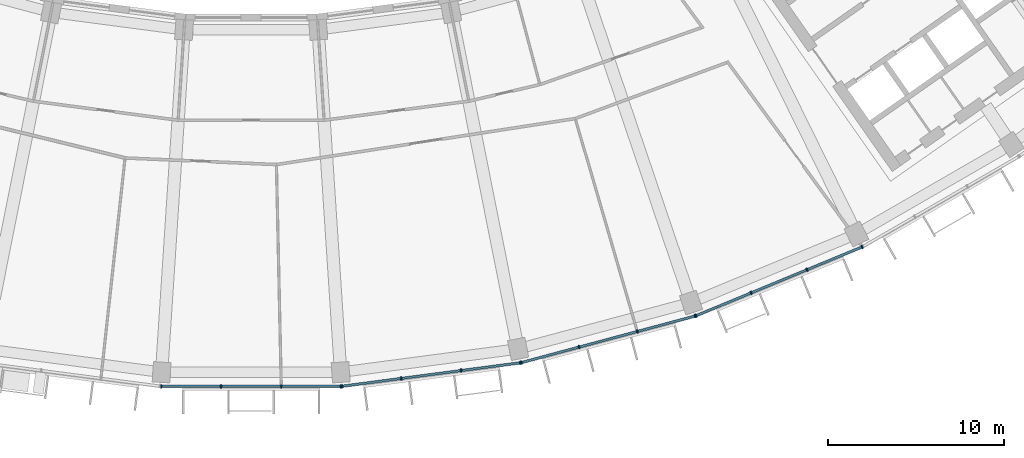
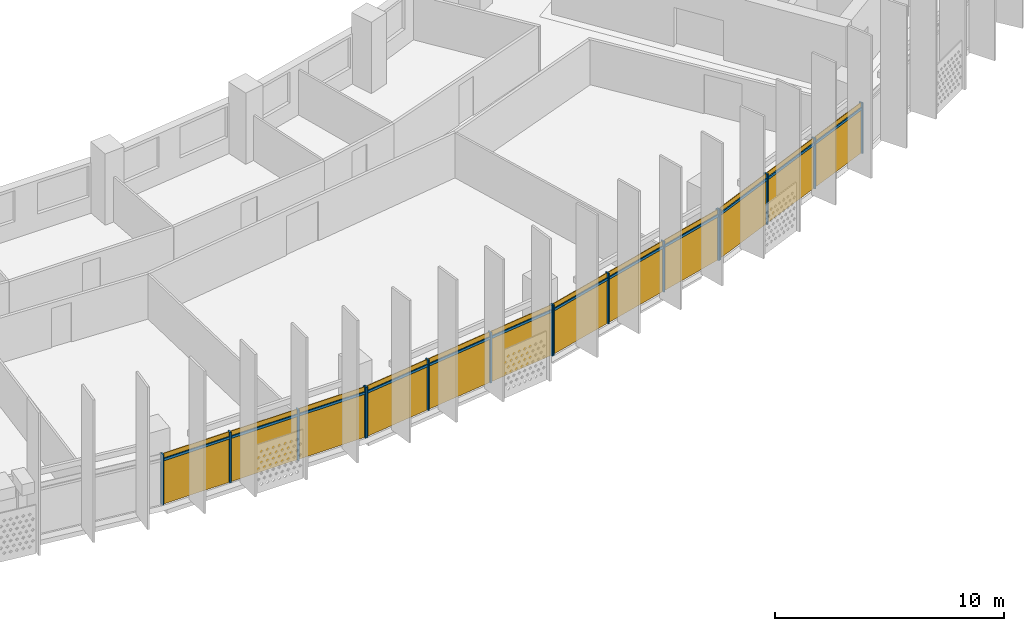
# One storey, part 20 of 28: 28 members, 4 curtain walls.
"""IFC4 building model written with IfcOpenShell, lengths in metres."""

from ifc_helpers import new_model, si_unit, direction, frame, origin, origin_2d, place, context, subcontext, project, spatial, rectangle, extrude, material, material_profile, profile_set, type_object, element, aggregate, save


model = new_model("IFC4")

# Units and contexts
model_context = context("Model", 3, precision=1e-05, world=origin(), true_north=direction((0.0, 1.0)))
body_context = subcontext(model_context, "Body", "Model", "MODEL_VIEW")
ifc_project = project(units=[si_unit("LENGTHUNIT", "METRE"), si_unit("AREAUNIT", "SQUARE_METRE"), si_unit("VOLUMEUNIT", "CUBIC_METRE"), si_unit("PLANEANGLEUNIT", "RADIAN"), si_unit("MASSUNIT", "GRAM", prefix="KILO")], contexts=[model_context])

# Member
ifc_material = material(Name="Aluminium 6063-T6 anodised", Category="aluminium")
ifc_material_profile_1 = material_profile(ifc_material, rectangle(XDim=0.199951171875, YDim=0.070068359375, at=origin_2d()))
ifc_profile_set_1 = profile_set([ifc_material_profile_1], Name="Aluminium 6063-T6 anodised")
member_type_1 = type_object("IfcMemberType", Name="Mullion 70 x 200 aluminium", PredefinedType="MULLION", material=ifc_profile_set_1)
site_placement = place(None, origin())
building_placement = place(site_placement, origin())
storey_placement = place(building_placement, frame((0.0, 0.0, 226.5)))
member_1_placement = place(storey_placement, frame((-5.10888671875, -78.381591796875, 0.0), z_axis=(0.0, 0.0, 1.0), x_axis=(0.0, 1.0, 0.0)))
member_1 = element("IfcMember", 1, at=member_1_placement, type_object=member_type_1, Name="e-cw1-L54-out08/M00", PredefinedType="MULLION", context=body_context, shape_type="SweptSolid", body=[
    extrude(rectangle(XDim=0.199951171875, YDim=0.070068359375, at=origin_2d()), origin(), (0.0, 0.0, 1.0), 2.699951171875),
])

member_2_placement = place(storey_placement, frame((-1.714599609375, -78.381591796875, 0.0), z_axis=(0.0, 0.0, 1.0), x_axis=(0.0, 1.0, 0.0)))
member_2 = element("IfcMember", 2, at=member_2_placement, type_object=member_type_1, Name="e-cw1-L54-out08/M01", PredefinedType="MULLION", context=body_context, shape_type="SweptSolid", body=[
    extrude(rectangle(XDim=0.199951171875, YDim=0.070068359375, at=origin_2d()), origin(), (0.0, 0.0, 1.0), 2.699951171875),
])

member_3_placement = place(storey_placement, frame((1.714599609375, -78.381591796875, 0.0), z_axis=(0.0, 0.0, 1.0), x_axis=(0.0, 1.0, 0.0)))
member_3 = element("IfcMember", 3, at=member_3_placement, type_object=member_type_1, Name="e-cw1-L54-out08/M02", PredefinedType="MULLION", context=body_context, shape_type="SweptSolid", body=[
    extrude(rectangle(XDim=0.199951171875, YDim=0.070068359375, at=origin_2d()), origin(), (0.0, 0.0, 1.0), 2.699951171875),
])

member_4_placement = place(storey_placement, frame((5.10888671875, -78.381591796875, 0.0), z_axis=(0.0, 0.0, 1.0), x_axis=(0.0, 1.0, 0.0)))
member_4 = element("IfcMember", 4, at=member_4_placement, type_object=member_type_1, Name="e-cw1-L54-out08/M03", PredefinedType="MULLION", context=body_context, shape_type="SweptSolid", body=[
    extrude(rectangle(XDim=0.199951171875, YDim=0.070068359375, at=origin_2d()), origin(), (0.0, 0.0, 1.0), 2.699951171875),
])

member_5_placement = place(storey_placement, frame((5.16552734375, -78.3779296875, 0.0), z_axis=(0.0, 0.0, 1.0), x_axis=(-0.13052619222, 0.991444861374, 0.0)))
member_5 = element("IfcMember", 5, at=member_5_placement, type_object=member_type_1, Name="e-cw1-L54-out09/M00", PredefinedType="MULLION", context=body_context, shape_type="SweptSolid", body=[
    extrude(rectangle(XDim=0.199951171875, YDim=0.070068359375, at=origin_2d()), origin(), (0.0, 0.0, 1.0), 2.699951171875),
])

member_6_placement = place(storey_placement, frame((8.53076171875, -77.934814453125, 0.0), z_axis=(0.0, 0.0, 1.0), x_axis=(-0.13052619222, 0.991444861374, 0.0)))
member_6 = element("IfcMember", 6, at=member_6_placement, type_object=member_type_1, Name="e-cw1-L54-out09/M01", PredefinedType="MULLION", context=body_context, shape_type="SweptSolid", body=[
    extrude(rectangle(XDim=0.199951171875, YDim=0.070068359375, at=origin_2d()), origin(), (0.0, 0.0, 1.0), 2.699951171875),
])

member_7_placement = place(storey_placement, frame((11.930908203125, -77.4873046875, 0.0), z_axis=(0.0, 0.0, 1.0), x_axis=(-0.13052619222, 0.991444861374, 0.0)))
member_7 = element("IfcMember", 7, at=member_7_placement, type_object=member_type_1, Name="e-cw1-L54-out09/M02", PredefinedType="MULLION", context=body_context, shape_type="SweptSolid", body=[
    extrude(rectangle(XDim=0.199951171875, YDim=0.070068359375, at=origin_2d()), origin(), (0.0, 0.0, 1.0), 2.699951171875),
])

member_8_placement = place(storey_placement, frame((15.296142578125, -77.044189453125, 0.0), z_axis=(0.0, 0.0, 1.0), x_axis=(-0.13052619222, 0.991444861374, 0.0)))
member_8 = element("IfcMember", 8, at=member_8_placement, type_object=member_type_1, Name="e-cw1-L54-out09/M03", PredefinedType="MULLION", context=body_context, shape_type="SweptSolid", body=[
    extrude(rectangle(XDim=0.199951171875, YDim=0.070068359375, at=origin_2d()), origin(), (0.0, 0.0, 1.0), 2.699951171875),
])

member_9_placement = place(storey_placement, frame((15.351806640625, -77.033203125, 0.0), z_axis=(0.0, 0.0, 1.0), x_axis=(-0.258819045103, 0.965925826289, 0.0)))
member_9 = element("IfcMember", 9, at=member_9_placement, type_object=member_type_1, Name="e-cw1-L54-out10/M00", PredefinedType="MULLION", context=body_context, shape_type="SweptSolid", body=[
    extrude(rectangle(XDim=0.199951171875, YDim=0.070068359375, at=origin_2d()), origin(), (0.0, 0.0, 1.0), 2.699951171875),
])

member_10_placement = place(storey_placement, frame((18.63037109375, -76.154541015625, 0.0), z_axis=(0.0, 0.0, 1.0), x_axis=(-0.258819045103, 0.965925826289, 0.0)))
member_10 = element("IfcMember", 10, at=member_10_placement, type_object=member_type_1, Name="e-cw1-L54-out10/M01", PredefinedType="MULLION", context=body_context, shape_type="SweptSolid", body=[
    extrude(rectangle(XDim=0.199951171875, YDim=0.070068359375, at=origin_2d()), origin(), (0.0, 0.0, 1.0), 2.699951171875),
])

member_11_placement = place(storey_placement, frame((21.94287109375, -75.26708984375, 0.0), z_axis=(0.0, 0.0, 1.0), x_axis=(-0.258819045103, 0.965925826289, 0.0)))
member_11 = element("IfcMember", 11, at=member_11_placement, type_object=member_type_1, Name="e-cw1-L54-out10/M02", PredefinedType="MULLION", context=body_context, shape_type="SweptSolid", body=[
    extrude(rectangle(XDim=0.199951171875, YDim=0.070068359375, at=origin_2d()), origin(), (0.0, 0.0, 1.0), 2.699951171875),
])

member_12_placement = place(storey_placement, frame((25.221435546875, -74.388427734375, 0.0), z_axis=(0.0, 0.0, 1.0), x_axis=(-0.258819045103, 0.965925826289, 0.0)))
member_12 = element("IfcMember", 12, at=member_12_placement, type_object=member_type_1, Name="e-cw1-L54-out10/M03", PredefinedType="MULLION", context=body_context, shape_type="SweptSolid", body=[
    extrude(rectangle(XDim=0.199951171875, YDim=0.070068359375, at=origin_2d()), origin(), (0.0, 0.0, 1.0), 2.699951171875),
])

member_13_placement = place(storey_placement, frame((25.275390625, -74.370361328125, 0.0), z_axis=(0.0, 0.0, 1.0), x_axis=(-0.382683432365, 0.923879532511, 0.0)))
member_13 = element("IfcMember", 13, at=member_13_placement, type_object=member_type_1, Name="e-cw1-L54-out11/M00", PredefinedType="MULLION", context=body_context, shape_type="SweptSolid", body=[
    extrude(rectangle(XDim=0.199951171875, YDim=0.070068359375, at=origin_2d()), origin(), (0.0, 0.0, 1.0), 2.699951171875),
])

member_14_placement = place(storey_placement, frame((28.4111328125, -73.0712890625, 0.0), z_axis=(0.0, 0.0, 1.0), x_axis=(-0.382683432365, 0.923879532511, 0.0)))
member_14 = element("IfcMember", 14, at=member_14_placement, type_object=member_type_1, Name="e-cw1-L54-out11/M01", PredefinedType="MULLION", context=body_context, shape_type="SweptSolid", body=[
    extrude(rectangle(XDim=0.199951171875, YDim=0.070068359375, at=origin_2d()), origin(), (0.0, 0.0, 1.0), 2.699951171875),
])

member_15_placement = place(storey_placement, frame((31.57958984375, -71.759033203125, 0.0), z_axis=(0.0, 0.0, 1.0), x_axis=(-0.382683432365, 0.923879532511, 0.0)))
member_15 = element("IfcMember", 15, at=member_15_placement, type_object=member_type_1, Name="e-cw1-L54-out11/M02", PredefinedType="MULLION", context=body_context, shape_type="SweptSolid", body=[
    extrude(rectangle(XDim=0.199951171875, YDim=0.070068359375, at=origin_2d()), origin(), (0.0, 0.0, 1.0), 2.699951171875),
])

member_16_placement = place(storey_placement, frame((34.71533203125, -70.4599609375, 0.0), z_axis=(0.0, 0.0, 1.0), x_axis=(-0.382683432365, 0.923879532511, 0.0)))
member_16 = element("IfcMember", 16, at=member_16_placement, type_object=member_type_1, Name="e-cw1-L54-out11/M03", PredefinedType="MULLION", context=body_context, shape_type="SweptSolid", body=[
    extrude(rectangle(XDim=0.199951171875, YDim=0.070068359375, at=origin_2d()), origin(), (0.0, 0.0, 1.0), 2.699951171875),
])

ifc_material_profile_2 = material_profile(ifc_material, rectangle(XDim=0.139892578125, YDim=0.1201171875, at=origin_2d()))
ifc_profile_set_2 = profile_set([ifc_material_profile_2], Name="Aluminium 6063-T6 anodised")
member_type_2 = type_object("IfcMemberType", Name="Transom 120 x 140 aluminium", PredefinedType="USERDEFINED", material=ifc_profile_set_2)
member_17_placement = place(storey_placement, frame((-5.073974609375, -78.381591796875, 2.39990234375), z_axis=(1.0, 0.0, 0.0), x_axis=(0.0, 1.0, 0.0)))
member_17 = element("IfcMember", 17, at=member_17_placement, type_object=member_type_2, Name="e-cw1-L54-out08/T00", ObjectType="TRANSOM", PredefinedType="USERDEFINED", context=body_context, shape_type="SweptSolid", body=[
    extrude(rectangle(XDim=0.139892578125, YDim=0.1201171875, at=origin_2d()), origin(), (0.0, 0.0, 1.0), 3.32421875),
])

member_18_placement = place(storey_placement, frame((-1.6796875, -78.381591796875, 2.39990234375), z_axis=(1.0, 0.0, 0.0), x_axis=(0.0, 1.0, 0.0)))
member_18 = element("IfcMember", 18, at=member_18_placement, type_object=member_type_2, Name="e-cw1-L54-out08/T01", ObjectType="TRANSOM", PredefinedType="USERDEFINED", context=body_context, shape_type="SweptSolid", body=[
    extrude(rectangle(XDim=0.139892578125, YDim=0.1201171875, at=origin_2d()), origin(), (0.0, 0.0, 1.0), 3.359375),
])

member_19_placement = place(storey_placement, frame((1.749755859375, -78.381591796875, 2.39990234375), z_axis=(1.0, 0.0, 0.0), x_axis=(0.0, 1.0, 0.0)))
member_19 = element("IfcMember", 19, at=member_19_placement, type_object=member_type_2, Name="e-cw1-L54-out08/T02", ObjectType="TRANSOM", PredefinedType="USERDEFINED", context=body_context, shape_type="SweptSolid", body=[
    extrude(rectangle(XDim=0.139892578125, YDim=0.1201171875, at=origin_2d()), origin(), (0.0, 0.0, 1.0), 3.32421875),
])

member_20_placement = place(storey_placement, frame((5.2001953125, -78.373291015625, 2.39990234375), z_axis=(0.991447795146, 0.130503906072, 0.0), x_axis=(-0.130503906072, 0.991447795146, 0.0)))
member_20 = element("IfcMember", 20, at=member_20_placement, type_object=member_type_2, Name="e-cw1-L54-out09/T00", ObjectType="TRANSOM", PredefinedType="USERDEFINED", context=body_context, shape_type="SweptSolid", body=[
    extrude(rectangle(XDim=0.139892578125, YDim=0.1201171875, at=origin_2d()), origin(), (0.0, 0.0, 1.0), 3.32421875),
])

member_21_placement = place(storey_placement, frame((8.565673828125, -77.93017578125, 2.39990234375), z_axis=(0.991444893088, 0.130525951326, 0.0), x_axis=(-0.130525951326, 0.991444893088, 0.0)))
member_21 = element("IfcMember", 21, at=member_21_placement, type_object=member_type_2, Name="e-cw1-L54-out09/T01", ObjectType="TRANSOM", PredefinedType="USERDEFINED", context=body_context, shape_type="SweptSolid", body=[
    extrude(rectangle(XDim=0.139892578125, YDim=0.1201171875, at=origin_2d()), origin(), (0.0, 0.0, 1.0), 3.359375),
])

member_22_placement = place(storey_placement, frame((11.965576171875, -77.482666015625, 2.39990234375), z_axis=(0.991447795146, 0.130503906072, 0.0), x_axis=(-0.130503906072, 0.991447795146, 0.0)))
member_22 = element("IfcMember", 22, at=member_22_placement, type_object=member_type_2, Name="e-cw1-L54-out09/T02", ObjectType="TRANSOM", PredefinedType="USERDEFINED", context=body_context, shape_type="SweptSolid", body=[
    extrude(rectangle(XDim=0.139892578125, YDim=0.1201171875, at=origin_2d()), origin(), (0.0, 0.0, 1.0), 3.32421875),
])

member_23_placement = place(storey_placement, frame((15.385498046875, -77.024169921875, 2.39990234375), z_axis=(0.965913629723, 0.258864559019, 0.0), x_axis=(-0.258864559019, 0.965913629723, 0.0)))
member_23 = element("IfcMember", 23, at=member_23_placement, type_object=member_type_2, Name="e-cw1-L54-out10/T00", ObjectType="TRANSOM", PredefinedType="USERDEFINED", context=body_context, shape_type="SweptSolid", body=[
    extrude(rectangle(XDim=0.139892578125, YDim=0.1201171875, at=origin_2d()), origin(), (0.0, 0.0, 1.0), 3.324462890625),
])

member_24_placement = place(storey_placement, frame((18.664306640625, -76.1455078125, 2.39990234375), z_axis=(0.965931507774, 0.258797840582, 0.0), x_axis=(-0.258797840582, 0.965931507774, 0.0)))
member_24 = element("IfcMember", 24, at=member_24_placement, type_object=member_type_2, Name="e-cw1-L54-out10/T01", ObjectType="TRANSOM", PredefinedType="USERDEFINED", context=body_context, shape_type="SweptSolid", body=[
    extrude(rectangle(XDim=0.139892578125, YDim=0.1201171875, at=origin_2d()), origin(), (0.0, 0.0, 1.0), 3.359375),
])

member_25_placement = place(storey_placement, frame((21.976806640625, -75.258056640625, 2.39990234375), z_axis=(0.965908708139, 0.25888292246, 0.0), x_axis=(-0.25888292246, 0.965908708139, 0.0)))
member_25 = element("IfcMember", 25, at=member_25_placement, type_object=member_type_2, Name="e-cw1-L54-out10/T02", ObjectType="TRANSOM", PredefinedType="USERDEFINED", context=body_context, shape_type="SweptSolid", body=[
    extrude(rectangle(XDim=0.139892578125, YDim=0.1201171875, at=origin_2d()), origin(), (0.0, 0.0, 1.0), 3.32421875),
])

member_26_placement = place(storey_placement, frame((25.3076171875, -74.35693359375, 2.39990234375), z_axis=(0.923874511193, 0.382695554676, 0.0), x_axis=(-0.382695554676, 0.923874511193, 0.0)))
member_26 = element("IfcMember", 26, at=member_26_placement, type_object=member_type_2, Name="e-cw1-L54-out11/T00", ObjectType="TRANSOM", PredefinedType="USERDEFINED", context=body_context, shape_type="SweptSolid", body=[
    extrude(rectangle(XDim=0.139892578125, YDim=0.1201171875, at=origin_2d()), origin(), (0.0, 0.0, 1.0), 3.324462890625),
])

member_27_placement = place(storey_placement, frame((28.443603515625, -73.057861328125, 2.39990234375), z_axis=(0.923891938088, 0.38265348128, 0.0), x_axis=(-0.38265348128, 0.923891938088, 0.0)))
member_27 = element("IfcMember", 27, at=member_27_placement, type_object=member_type_2, Name="e-cw1-L54-out11/T01", ObjectType="TRANSOM", PredefinedType="USERDEFINED", context=body_context, shape_type="SweptSolid", body=[
    extrude(rectangle(XDim=0.139892578125, YDim=0.1201171875, at=origin_2d()), origin(), (0.0, 0.0, 1.0), 3.359130859375),
])

member_28_placement = place(storey_placement, frame((31.61181640625, -71.74560546875, 2.39990234375), z_axis=(0.923874511193, 0.382695554676, 0.0), x_axis=(-0.382695554676, 0.923874511193, 0.0)))
member_28 = element("IfcMember", 28, at=member_28_placement, type_object=member_type_2, Name="e-cw1-L54-out11/T02", ObjectType="TRANSOM", PredefinedType="USERDEFINED", context=body_context, shape_type="SweptSolid", body=[
    extrude(rectangle(XDim=0.139892578125, YDim=0.1201171875, at=origin_2d()), origin(), (0.0, 0.0, 1.0), 3.324462890625),
])

# Site, building, storey
site = spatial("IfcSite", under=ifc_project, at=site_placement, CompositionType="ELEMENT")
building = spatial("IfcBuilding", under=site, at=building_placement, Name="Qamariyya Broadcast Tower", CompositionType="ELEMENT")
storey = spatial("IfcBuildingStorey", under=building, at=storey_placement, Name="L54", CompositionType="ELEMENT", Elevation=226.5)

# Curtain wall
curtain_wall_type = type_object("IfcCurtainWallType", Name="Unitised curtain wall, anodised aluminium", PredefinedType="NOTDEFINED", material=ifc_material)
curtain_wall_1_placement = place(storey_placement, origin())
curtain_wall_1 = element("IfcCurtainWall", 29, at=curtain_wall_1_placement, inside=storey, type_object=curtain_wall_type, Name="e-cw1-L54-out08", PredefinedType="NOTDEFINED", context=body_context, shape_type="SweptSolid", body=[
    extrude(rectangle(XDim=3.324462890625, YDim=0.031982421875, at=origin_2d()), frame((-3.411865234375, -78.381591796875, 0.0), x_axis=(1.0, 0.0, 0.0)), (0.0, 0.0, 1.0), 2.340087890625),
    extrude(rectangle(XDim=3.324462890625, YDim=0.031982421875, at=origin_2d()), frame((-3.411865234375, -78.381591796875, 2.4599609375), x_axis=(1.0, 0.0, 0.0)), (0.0, 0.0, 1.0), 0.239990234375),
    extrude(rectangle(XDim=3.359375, YDim=0.031982421875, at=origin_2d()), frame((0.0, -78.381591796875, 0.0), x_axis=(1.0, 0.0, 0.0)), (0.0, 0.0, 1.0), 2.340087890625),
    extrude(rectangle(XDim=3.359375, YDim=0.031982421875, at=origin_2d()), frame((0.0, -78.381591796875, 2.4599609375), x_axis=(1.0, 0.0, 0.0)), (0.0, 0.0, 1.0), 0.239990234375),
    extrude(rectangle(XDim=3.324462890625, YDim=0.031982421875, at=origin_2d()), frame((3.411865234375, -78.381591796875, 0.0), x_axis=(1.0, 0.0, 0.0)), (0.0, 0.0, 1.0), 2.340087890625),
    extrude(rectangle(XDim=3.324462890625, YDim=0.031982421875, at=origin_2d()), frame((3.411865234375, -78.381591796875, 2.4599609375), x_axis=(1.0, 0.0, 0.0)), (0.0, 0.0, 1.0), 0.239990234375),
])

aggregate(curtain_wall_1, [member_1, member_2, member_3, member_4, member_17, member_18, member_19])

curtain_wall_2_placement = place(storey_placement, origin())
curtain_wall_2 = element("IfcCurtainWall", 30, at=curtain_wall_2_placement, inside=storey, type_object=curtain_wall_type, Name="e-cw1-L54-out09", PredefinedType="NOTDEFINED", context=body_context, shape_type="SweptSolid", body=[
    extrude(rectangle(XDim=3.32421875, YDim=0.031982421875, at=origin_2d()), frame((6.84814453125, -78.156494140625, 0.0), x_axis=(0.991442741341, 0.130542294457, 0.0)), (0.0, 0.0, 1.0), 2.340087890625),
    extrude(rectangle(XDim=3.32421875, YDim=0.031982421875, at=origin_2d()), frame((6.84814453125, -78.156494140625, 2.4599609375), x_axis=(0.991442741341, 0.130542294457, 0.0)), (0.0, 0.0, 1.0), 0.239990234375),
    extrude(rectangle(XDim=3.359375, YDim=0.031982421875, at=origin_2d()), frame((10.23095703125, -77.7109375, 0.0), x_axis=(0.991442741341, 0.130542294457, 0.0)), (0.0, 0.0, 1.0), 2.340087890625),
    extrude(rectangle(XDim=3.359375, YDim=0.031982421875, at=origin_2d()), frame((10.23095703125, -77.7109375, 2.4599609375), x_axis=(0.991442741341, 0.130542294457, 0.0)), (0.0, 0.0, 1.0), 0.239990234375),
    extrude(rectangle(XDim=3.32421875, YDim=0.031982421875, at=origin_2d()), frame((13.613525390625, -77.265625, 0.0), x_axis=(0.991442741341, 0.130542294457, 0.0)), (0.0, 0.0, 1.0), 2.340087890625),
    extrude(rectangle(XDim=3.32421875, YDim=0.031982421875, at=origin_2d()), frame((13.613525390625, -77.265625, 2.4599609375), x_axis=(0.991442741341, 0.130542294457, 0.0)), (0.0, 0.0, 1.0), 0.239990234375),
])

aggregate(curtain_wall_2, [member_5, member_6, member_7, member_8, member_20, member_21, member_22])

curtain_wall_3_placement = place(storey_placement, origin())
curtain_wall_3 = element("IfcCurtainWall", 31, at=curtain_wall_3_placement, inside=storey, type_object=curtain_wall_type, Name="e-cw1-L54-out10", PredefinedType="NOTDEFINED", context=body_context, shape_type="SweptSolid", body=[
    extrude(rectangle(XDim=3.324462890625, YDim=0.031982421875, at=origin_2d()), frame((16.990966796875, -76.593994140625, 0.0), x_axis=(0.965923476514, 0.258827814424, 0.0)), (0.0, 0.0, 1.0), 2.340087890625),
    extrude(rectangle(XDim=3.324462890625, YDim=0.031982421875, at=origin_2d()), frame((16.990966796875, -76.593994140625, 2.4599609375), x_axis=(0.965923476514, 0.258827814424, 0.0)), (0.0, 0.0, 1.0), 0.239990234375),
    extrude(rectangle(XDim=3.359375, YDim=0.031982421875, at=origin_2d()), frame((20.28662109375, -75.7109375, 0.0), x_axis=(0.965923476514, 0.258827814424, 0.0)), (0.0, 0.0, 1.0), 2.340087890625),
    extrude(rectangle(XDim=3.359375, YDim=0.031982421875, at=origin_2d()), frame((20.28662109375, -75.7109375, 2.4599609375), x_axis=(0.965923476514, 0.258827814424, 0.0)), (0.0, 0.0, 1.0), 0.239990234375),
    extrude(rectangle(XDim=3.324462890625, YDim=0.031982421875, at=origin_2d()), frame((23.582275390625, -74.82763671875, 0.0), x_axis=(0.965923476514, 0.258827814424, 0.0)), (0.0, 0.0, 1.0), 2.340087890625),
    extrude(rectangle(XDim=3.324462890625, YDim=0.031982421875, at=origin_2d()), frame((23.582275390625, -74.82763671875, 2.4599609375), x_axis=(0.965923476514, 0.258827814424, 0.0)), (0.0, 0.0, 1.0), 0.239990234375),
])

aggregate(curtain_wall_3, [member_9, member_10, member_11, member_12, member_23, member_24, member_25])

curtain_wall_4_placement = place(storey_placement, origin())
curtain_wall_4 = element("IfcCurtainWall", 32, at=curtain_wall_4_placement, inside=storey, type_object=curtain_wall_type, Name="e-cw1-L54-out11", PredefinedType="NOTDEFINED", context=body_context, shape_type="SweptSolid", body=[
    extrude(rectangle(XDim=3.32421875, YDim=0.031982421875, at=origin_2d()), frame((26.84326171875, -73.720703125, 0.0), x_axis=(0.923880895135, 0.382680142683, 0.0)), (0.0, 0.0, 1.0), 2.340087890625),
    extrude(rectangle(XDim=3.32421875, YDim=0.031982421875, at=origin_2d()), frame((26.84326171875, -73.720703125, 2.4599609375), x_axis=(0.923880895135, 0.382680142683, 0.0)), (0.0, 0.0, 1.0), 0.239990234375),
    extrude(rectangle(XDim=3.359375, YDim=0.031982421875, at=origin_2d()), frame((29.995361328125, -72.4150390625, 0.0), x_axis=(0.923880895135, 0.382680142683, 0.0)), (0.0, 0.0, 1.0), 2.340087890625),
    extrude(rectangle(XDim=3.359375, YDim=0.031982421875, at=origin_2d()), frame((29.995361328125, -72.4150390625, 2.4599609375), x_axis=(0.923880895135, 0.382680142683, 0.0)), (0.0, 0.0, 1.0), 0.239990234375),
    extrude(rectangle(XDim=3.32421875, YDim=0.031982421875, at=origin_2d()), frame((33.1474609375, -71.109375, 0.0), x_axis=(0.923880895135, 0.382680142683, 0.0)), (0.0, 0.0, 1.0), 2.340087890625),
    extrude(rectangle(XDim=3.32421875, YDim=0.031982421875, at=origin_2d()), frame((33.1474609375, -71.109375, 2.4599609375), x_axis=(0.923880895135, 0.382680142683, 0.0)), (0.0, 0.0, 1.0), 0.239990234375),
])

aggregate(curtain_wall_4, [member_13, member_14, member_15, member_16, member_26, member_27, member_28])

save(model, "model.ifc")
